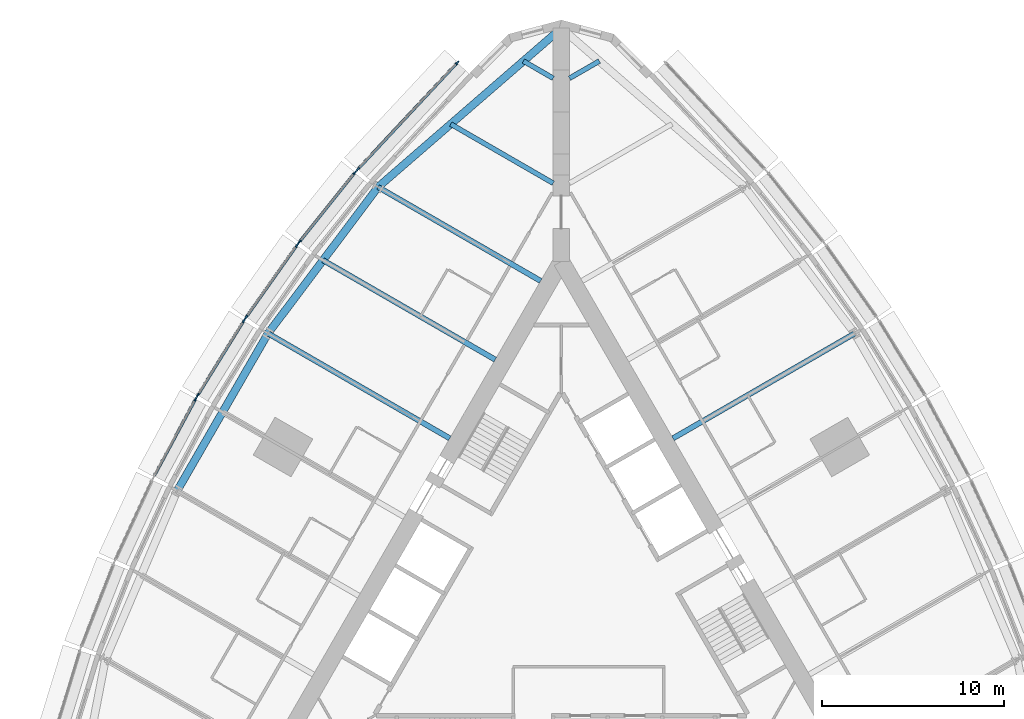
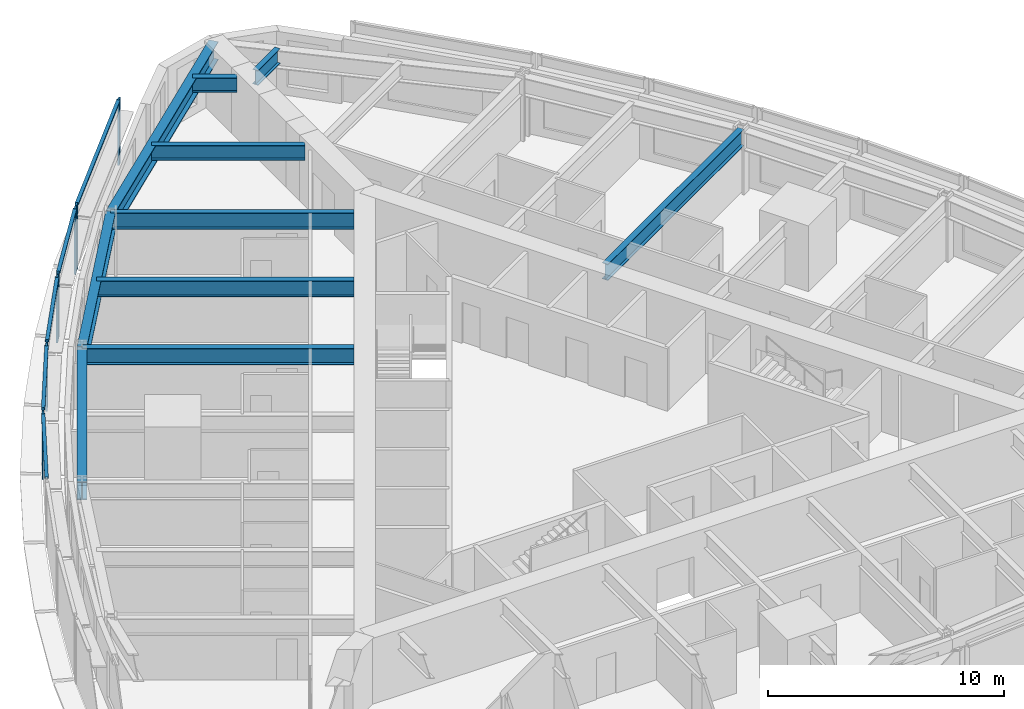
# One storey, part 4 of 14: 14 members, 10 beams, 5 elements without a shape of their own.
"""IFC4 building model written with IfcOpenShell, lengths in metres."""

from ifc_helpers import new_model, si_unit, direction, frame, origin, origin_2d, place, context, subcontext, project, spatial, rectangle, i_section, extrude, material, material_profile, profile_set, type_object, element, aggregate, save


model = new_model("IFC4")

# Units and contexts
model_context = context("Model", 3, precision=1e-05, world=origin(), true_north=direction((0.0, 1.0)))
body_context = subcontext(model_context, "Body", "Model", "MODEL_VIEW")
ifc_project = project(units=[si_unit("LENGTHUNIT", "METRE"), si_unit("AREAUNIT", "SQUARE_METRE"), si_unit("VOLUMEUNIT", "CUBIC_METRE"), si_unit("PLANEANGLEUNIT", "RADIAN"), si_unit("MASSUNIT", "GRAM", prefix="KILO")], contexts=[model_context])

# Site, building, storey
site_placement = place(None, origin())
site = spatial("IfcSite", under=ifc_project, at=site_placement, CompositionType="ELEMENT")
building_placement = place(site_placement, origin())
building = spatial("IfcBuilding", under=site, at=building_placement, Name="Trikona Tower", CompositionType="ELEMENT")
storey_placement = place(building_placement, frame((0.0, 0.0, 72.699951171875)))
storey = spatial("IfcBuildingStorey", under=building, at=storey_placement, Name="L18", CompositionType="ELEMENT", Elevation=72.699951171875)

# Curtain wall, members
ifc_material_1 = material(Name="Aluminium curtain wall system", Category="aluminium")
curtain_wall_type = type_object("IfcCurtainWallType", Name="Curtain wall DS1", PredefinedType="NOTDEFINED", material=ifc_material_1)
curtain_wall_1_placement = place(storey_placement, origin())
curtain_wall_1 = element("IfcCurtainWall", 1, at=curtain_wall_1_placement, inside=storey, type_object=curtain_wall_type, Name="Curtain wall DS1 L18", PredefinedType="NOTDEFINED")
ifc_material_2 = material(Name="Aluminium mullion, pale anodised", Category="aluminium")
ifc_material_profile_1 = material_profile(ifc_material_2, rectangle(XDim=0.080078125, YDim=0.219970703125, at=origin_2d()), Name="MUL-DS1")
ifc_profile_set_1 = profile_set([ifc_material_profile_1], Name="Aluminium mullion, pale anodised")
member_type_1 = type_object("IfcMemberType", Name="Mullion DS1 80x220", PredefinedType="MULLION", material=ifc_profile_set_1)
member_1_placement = place(storey_placement, frame((-5.72607421875, 29.98583984375, 0.0), z_axis=(0.0, 0.0, 1.0), x_axis=(0.731076639405, -0.682295351967, 0.0)))
member_1 = element("IfcMember", 2, at=member_1_placement, type_object=member_type_1, Name="CW-DS1 mullion 1", PredefinedType="MULLION", context=body_context, shape_type="SweptSolid", body=[
    extrude(rectangle(XDim=0.080078125, YDim=0.219970703125, at=origin_2d()), origin(), (0.0, 0.0, 1.0), 3.400146484375),
])
member_2_placement = place(storey_placement, frame((-11.192138671875, 24.129150390625, 0.0), z_axis=(0.0, 0.0, 1.0), x_axis=(0.731076639405, -0.682295351967, 0.0)))
member_2 = element("IfcMember", 3, at=member_2_placement, type_object=member_type_1, Name="CW-DS1 mullion 2", PredefinedType="MULLION", context=body_context, shape_type="SweptSolid", body=[
    extrude(rectangle(XDim=0.080078125, YDim=0.219970703125, at=origin_2d()), origin(), (0.0, 0.0, 1.0), 3.400146484375),
])

curtain_wall_2_placement = place(storey_placement, origin())
curtain_wall_2 = element("IfcCurtainWall", 4, at=curtain_wall_2_placement, inside=storey, type_object=curtain_wall_type, Name="Curtain wall DS1 L18", PredefinedType="NOTDEFINED")
member_3_placement = place(storey_placement, frame((-11.36767578125, 23.926025390625, 0.0), z_axis=(0.0, 0.0, 1.0), x_axis=(0.780937959679, -0.624608599951, 0.0)))
member_3 = element("IfcMember", 5, at=member_3_placement, type_object=member_type_1, Name="CW-DS1 mullion 1", PredefinedType="MULLION", context=body_context, shape_type="SweptSolid", body=[
    extrude(rectangle(XDim=0.080078125, YDim=0.219970703125, at=origin_2d()), origin(), (0.0, 0.0, 1.0), 3.400146484375),
])
member_4_placement = place(storey_placement, frame((-14.40185546875, 20.13232421875, 0.0), z_axis=(0.0, 0.0, 1.0), x_axis=(0.780937959679, -0.624608599951, 0.0)))
member_4 = element("IfcMember", 6, at=member_4_placement, type_object=member_type_1, Name="CW-DS1 mullion 2", PredefinedType="MULLION", context=body_context, shape_type="SweptSolid", body=[
    extrude(rectangle(XDim=0.080078125, YDim=0.219970703125, at=origin_2d()), origin(), (0.0, 0.0, 1.0), 3.400146484375),
])

curtain_wall_3_placement = place(storey_placement, origin())
curtain_wall_3 = element("IfcCurtainWall", 7, at=curtain_wall_3_placement, inside=storey, type_object=curtain_wall_type, Name="Curtain wall DS1 L18", PredefinedType="NOTDEFINED")
member_5_placement = place(storey_placement, frame((-14.554443359375, 19.929443359375, 0.0), z_axis=(0.0, 0.0, 1.0), x_axis=(0.816985393055, -0.576658362928, 0.0)))
member_5 = element("IfcMember", 8, at=member_5_placement, type_object=member_type_1, Name="CW-DS1 mullion 1", PredefinedType="MULLION", context=body_context, shape_type="SweptSolid", body=[
    extrude(rectangle(XDim=0.080078125, YDim=0.219970703125, at=origin_2d()), origin(), (0.0, 0.0, 1.0), 3.400146484375),
])
member_6_placement = place(storey_placement, frame((-17.33447265625, 15.990966796875, 0.0), z_axis=(0.0, 0.0, 1.0), x_axis=(0.816985393055, -0.576658362928, 0.0)))
member_6 = element("IfcMember", 9, at=member_6_placement, type_object=member_type_1, Name="CW-DS1 mullion 2", PredefinedType="MULLION", context=body_context, shape_type="SweptSolid", body=[
    extrude(rectangle(XDim=0.080078125, YDim=0.219970703125, at=origin_2d()), origin(), (0.0, 0.0, 1.0), 3.400146484375),
])

curtain_wall_4_placement = place(storey_placement, origin())
curtain_wall_4 = element("IfcCurtainWall", 10, at=curtain_wall_4_placement, inside=storey, type_object=curtain_wall_type, Name="Curtain wall DS1 L18", PredefinedType="NOTDEFINED")
member_7_placement = place(storey_placement, frame((-17.474853515625, 15.77880859375, 0.0), z_axis=(0.0, 0.0, 1.0), x_axis=(0.850410468941, -0.526119790842, 0.0)))
member_7 = element("IfcMember", 11, at=member_7_placement, type_object=member_type_1, Name="CW-DS1 mullion 1", PredefinedType="MULLION", context=body_context, shape_type="SweptSolid", body=[
    extrude(rectangle(XDim=0.080078125, YDim=0.219970703125, at=origin_2d()), origin(), (0.0, 0.0, 1.0), 3.400146484375),
])
member_8_placement = place(storey_placement, frame((-20.00146484375, 11.69482421875, 0.0), z_axis=(0.0, 0.0, 1.0), x_axis=(0.850410468941, -0.526119790842, 0.0)))
member_8 = element("IfcMember", 12, at=member_8_placement, type_object=member_type_1, Name="CW-DS1 mullion 2", PredefinedType="MULLION", context=body_context, shape_type="SweptSolid", body=[
    extrude(rectangle(XDim=0.080078125, YDim=0.219970703125, at=origin_2d()), origin(), (0.0, 0.0, 1.0), 3.400146484375),
])

# Curtain wall, member
curtain_wall_5_placement = place(storey_placement, origin())
curtain_wall_5 = element("IfcCurtainWall", 13, at=curtain_wall_5_placement, inside=storey, type_object=curtain_wall_type, Name="Curtain wall DS1 L18", PredefinedType="NOTDEFINED")
member_9_placement = place(storey_placement, frame((-20.128662109375, 11.474365234375, 0.0), z_axis=(0.0, 0.0, 1.0), x_axis=(0.880843080975, -0.473408350896, 0.0)))
member_9 = element("IfcMember", 14, at=member_9_placement, type_object=member_type_1, Name="CW-DS1 mullion 1", PredefinedType="MULLION", context=body_context, shape_type="SweptSolid", body=[
    extrude(rectangle(XDim=0.080078125, YDim=0.219970703125, at=origin_2d()), origin(), (0.0, 0.0, 1.0), 3.400146484375),
])

# Beams
ifc_material_3 = material(Name="Steel ASTM A992 Grade 50", Category="steel")
ifc_material_profile_2 = material_profile(ifc_material_3, i_section(OverallWidth=0.2666015625, OverallDepth=0.76953125, WebThickness=0.015625, FlangeThickness=0.025390625, at=origin_2d()), Name="W30X132")
ifc_profile_set_2 = profile_set([ifc_material_profile_2], Name="Steel ASTM A992 Grade 50")
beam_type_1 = type_object("IfcBeamType", Name="Steel beam W30x132 (wedge)", PredefinedType="BEAM", material=ifc_profile_set_2)
for number, where, z_axis, x_axis, name in (
    (15, (0.449951171875, 29.127197265625, 2.850341796875), (0.866009237431, 0.5000279999, 0.0), (-0.5000279999, 0.866009237431, 0.0), "Floor beam L19 F2 u25"),
    (16, (-0.449951171875, 29.127197265625, 2.850341796875), (-0.866009237431, 0.5000279999, 0.0), (-0.5000279999, -0.866009237431, 0.0), "Floor beam L19 F3 u-25"),
):
    element("IfcBeam", number, at=place(storey_placement, frame(where, z_axis=z_axis, x_axis=x_axis)), inside=storey, type_object=beam_type_1, Name=name, PredefinedType="BEAM", context=body_context, shape_type="SweptSolid", body=[
        extrude(i_section(OverallWidth=0.2666015625, OverallDepth=0.76953125, WebThickness=0.015625, FlangeThickness=0.025390625, at=origin_2d()), origin(), (0.0, 0.0, 1.0), 1.890625),
    ])
beam_1_placement = place(storey_placement, frame((-0.449951171875, 23.353759765625, 2.850341796875), z_axis=(-0.866022504693, 0.50000502134, 0.0), x_axis=(-0.50000502134, -0.866022504693, 0.0)))
element("IfcBeam", 17, at=beam_1_placement, inside=storey, type_object=beam_type_1, Name="Floor beam L19 F3 u-20", PredefinedType="BEAM", context=body_context, shape_type="SweptSolid", body=[
    extrude(i_section(OverallWidth=0.2666015625, OverallDepth=0.76953125, WebThickness=0.015625, FlangeThickness=0.025390625, at=origin_2d()), origin(), (0.0, 0.0, 1.0), 6.5068359375),
])
ifc_material_4 = material(Name="Steel ASTM A992 Grade 50", Category="steel")
ifc_material_profile_3 = material_profile(ifc_material_4, i_section(OverallWidth=0.2919921875, OverallDepth=0.845703125, WebThickness=0.015380859375, FlangeThickness=0.0244140625, at=origin_2d()), Name="W33X141")
ifc_profile_set_3 = profile_set([ifc_material_profile_3], Name="Steel ASTM A992 Grade 50")
beam_type_2 = type_object("IfcBeamType", Name="Steel beam W33x141 (radial typ)", PredefinedType="BEAM", material=ifc_profile_set_3)
beam_2_placement = place(storey_placement, frame((6.1396484375, 9.318359375, 2.812255859375), z_axis=(0.866029923217, 0.499992172032, 0.0), x_axis=(-0.499992172032, 0.866029923217, 0.0)))
element("IfcBeam", 18, at=beam_2_placement, inside=storey, type_object=beam_type_2, Name="Floor beam L19 F2 u5", PredefinedType="BEAM", context=body_context, shape_type="SweptSolid", body=[
    extrude(i_section(OverallWidth=0.2919921875, OverallDepth=0.845703125, WebThickness=0.015380859375, FlangeThickness=0.0244140625, at=origin_2d()), origin(), (0.0, 0.0, 1.0), 11.544189453125),
])
beam_3_placement = place(storey_placement, frame((-1.1396484375, 17.978515625, 2.812255859375), z_axis=(-0.866030471684, 0.499991222037, 0.0), x_axis=(-0.499991222037, -0.866030471684, 0.0)))
element("IfcBeam", 19, at=beam_3_placement, inside=storey, type_object=beam_type_2, Name="Floor beam L19 F3 u-15", PredefinedType="BEAM", context=body_context, shape_type="SweptSolid", body=[
    extrude(i_section(OverallWidth=0.2919921875, OverallDepth=0.845703125, WebThickness=0.015380859375, FlangeThickness=0.0244140625, at=origin_2d()), origin(), (0.0, 0.0, 1.0), 10.326904296875),
])
beam_4_placement = place(storey_placement, frame((-3.6396484375, 13.6484375, 2.812255859375), z_axis=(-0.866025348605, 0.500000095573, 0.0), x_axis=(-0.500000095573, -0.866025348605, 0.0)))
element("IfcBeam", 20, at=beam_4_placement, inside=storey, type_object=beam_type_2, Name="Floor beam L19 F3 u-10", PredefinedType="BEAM", context=body_context, shape_type="SweptSolid", body=[
    extrude(i_section(OverallWidth=0.2919921875, OverallDepth=0.845703125, WebThickness=0.015380859375, FlangeThickness=0.0244140625, at=origin_2d()), origin(), (0.0, 0.0, 1.0), 10.935546875),
])
beam_5_placement = place(storey_placement, frame((-6.1396484375, 9.318359375, 2.812255859375), z_axis=(-0.866029923217, 0.499992172032, 0.0), x_axis=(-0.499992172032, -0.866029923217, 0.0)))
element("IfcBeam", 21, at=beam_5_placement, inside=storey, type_object=beam_type_2, Name="Floor beam L19 F3 u-5", PredefinedType="BEAM", context=body_context, shape_type="SweptSolid", body=[
    extrude(i_section(OverallWidth=0.2919921875, OverallDepth=0.845703125, WebThickness=0.015380859375, FlangeThickness=0.0244140625, at=origin_2d()), origin(), (0.0, 0.0, 1.0), 11.544189453125),
])
ifc_material_5 = material(Name="Steel ASTM A992 Grade 50", Category="steel")
ifc_material_profile_4 = material_profile(ifc_material_5, i_section(OverallWidth=0.424072265625, OverallDepth=0.947509765625, WebThickness=0.02392578125, FlangeThickness=0.042724609375, at=origin_2d()), Name="W36X302")
ifc_profile_set_4 = profile_set([ifc_material_profile_4], Name="Steel ASTM A992 Grade 50")
beam_type_3 = type_object("IfcBeamType", Name="Steel beam W36x302 (spandrel)", PredefinedType="SPANDREL", material=ifc_profile_set_4)
beam_6_placement = place(storey_placement, frame((0.0, 31.881591796875, 2.76123046875), z_axis=(-0.755646822726, -0.654979296851, 0.0), x_axis=(0.654979296851, -0.755646822726, 0.0)))
element("IfcBeam", 22, at=beam_6_placement, inside=storey, type_object=beam_type_3, Name="Spandrel beam L19 F3-1", PredefinedType="SPANDREL", context=body_context, shape_type="SweptSolid", body=[
    extrude(i_section(OverallWidth=0.424072265625, OverallDepth=0.947509765625, WebThickness=0.02392578125, FlangeThickness=0.042724609375, at=origin_2d()), origin(), (0.0, 0.0, 1.0), 13.343505859375),
])
beam_7_placement = place(storey_placement, frame((-10.0830078125, 23.141845703125, 2.76123046875), z_axis=(-0.600988344191, -0.799257787042, 0.0), x_axis=(0.799257787042, -0.600988344191, 0.0)))
element("IfcBeam", 23, at=beam_7_placement, inside=storey, type_object=beam_type_3, Name="Spandrel beam L19 F3-2", PredefinedType="SPANDREL", context=body_context, shape_type="SweptSolid", body=[
    extrude(i_section(OverallWidth=0.424072265625, OverallDepth=0.947509765625, WebThickness=0.02392578125, FlangeThickness=0.042724609375, at=origin_2d()), origin(), (0.0, 0.0, 1.0), 10.07373046875),
])
beam_8_placement = place(storey_placement, frame((-16.13720703125, 15.09033203125, 2.76123046875), z_axis=(-0.500004234368, -0.866022959057, 0.0), x_axis=(0.866022959057, -0.500004234368, 0.0)))
element("IfcBeam", 24, at=beam_8_placement, inside=storey, type_object=beam_type_3, Name="Spandrel beam L19 F3-3", PredefinedType="SPANDREL", context=body_context, shape_type="SweptSolid", body=[
    extrude(i_section(OverallWidth=0.424072265625, OverallDepth=0.947509765625, WebThickness=0.02392578125, FlangeThickness=0.042724609375, at=origin_2d()), origin(), (0.0, 0.0, 1.0), 10.0),
])

# Member
ifc_material_6 = material(Name="Aluminium transom, pale anodised", Category="aluminium")
ifc_material_profile_5 = material_profile(ifc_material_6, rectangle(XDim=0.159912109375, YDim=0.080078125, at=origin_2d()), Name="TRN-DS1")
ifc_profile_set_5 = profile_set([ifc_material_profile_5], Name="Aluminium transom, pale anodised")
member_type_2 = type_object("IfcMemberType", Name="Transom DS1 80x160", PredefinedType="USERDEFINED", material=ifc_profile_set_5)
member_10_placement = place(storey_placement, frame((-5.75341796875, 29.95654296875, 3.360107421875), z_axis=(-0.682290830921, -0.731080858758, 0.0), x_axis=(0.731080858758, -0.682290830921, 0.0)))
member_10 = element("IfcMember", 25, at=member_10_placement, type_object=member_type_2, Name="CW-DS1 transom 1.1", ObjectType="TRANSOM", PredefinedType="USERDEFINED", context=body_context, shape_type="SweptSolid", body=[
    extrude(rectangle(XDim=0.159912109375, YDim=0.080078125, at=origin_2d()), origin(), (0.0, 0.0, 1.0), 7.93115234375),
])

aggregate(curtain_wall_1, [member_1, member_2, member_10])

member_11_placement = place(storey_placement, frame((-11.392822265625, 23.894775390625, 3.360107421875), z_axis=(-0.624589103832, -0.780953552636, 0.0), x_axis=(0.780953552636, -0.624589103832, 0.0)))
member_11 = element("IfcMember", 26, at=member_11_placement, type_object=member_type_2, Name="CW-DS1 transom 1.1", ObjectType="TRANSOM", PredefinedType="USERDEFINED", context=body_context, shape_type="SweptSolid", body=[
    extrude(rectangle(XDim=0.159912109375, YDim=0.080078125, at=origin_2d()), origin(), (0.0, 0.0, 1.0), 4.77783203125),
])

aggregate(curtain_wall_2, [member_3, member_4, member_11])

member_12_placement = place(storey_placement, frame((-14.57763671875, 19.896728515625, 3.360107421875), z_axis=(-0.57664478015, -0.816994980111, 0.0), x_axis=(0.816994980111, -0.57664478015, 0.0)))
member_12 = element("IfcMember", 27, at=member_12_placement, type_object=member_type_2, Name="CW-DS1 transom 1.1", ObjectType="TRANSOM", PredefinedType="USERDEFINED", context=body_context, shape_type="SweptSolid", body=[
    extrude(rectangle(XDim=0.159912109375, YDim=0.080078125, at=origin_2d()), origin(), (0.0, 0.0, 1.0), 4.740478515625),
])

aggregate(curtain_wall_3, [member_5, member_6, member_12])

member_13_placement = place(storey_placement, frame((-17.495849609375, 15.744873046875, 3.360107421875), z_axis=(-0.526080502257, -0.850434774186, 0.0), x_axis=(0.850434774186, -0.526080502257, 0.0)))
member_13 = element("IfcMember", 28, at=member_13_placement, type_object=member_type_2, Name="CW-DS1 transom 1.1", ObjectType="TRANSOM", PredefinedType="USERDEFINED", context=body_context, shape_type="SweptSolid", body=[
    extrude(rectangle(XDim=0.159912109375, YDim=0.080078125, at=origin_2d()), origin(), (0.0, 0.0, 1.0), 4.722412109375),
])

aggregate(curtain_wall_4, [member_7, member_8, member_13])

member_14_placement = place(storey_placement, frame((-20.147705078125, 11.43896484375, 3.360107421875), z_axis=(-0.473427569755, -0.880832751546, 0.0), x_axis=(0.880832751546, -0.473427569755, 0.0)))
member_14 = element("IfcMember", 29, at=member_14_placement, type_object=member_type_2, Name="CW-DS1 transom 1.1", ObjectType="TRANSOM", PredefinedType="USERDEFINED", context=body_context, shape_type="SweptSolid", body=[
    extrude(rectangle(XDim=0.159912109375, YDim=0.080078125, at=origin_2d()), origin(), (0.0, 0.0, 1.0), 4.72216796875),
])

aggregate(curtain_wall_5, [member_9, member_14])

save(model, "model.ifc")
